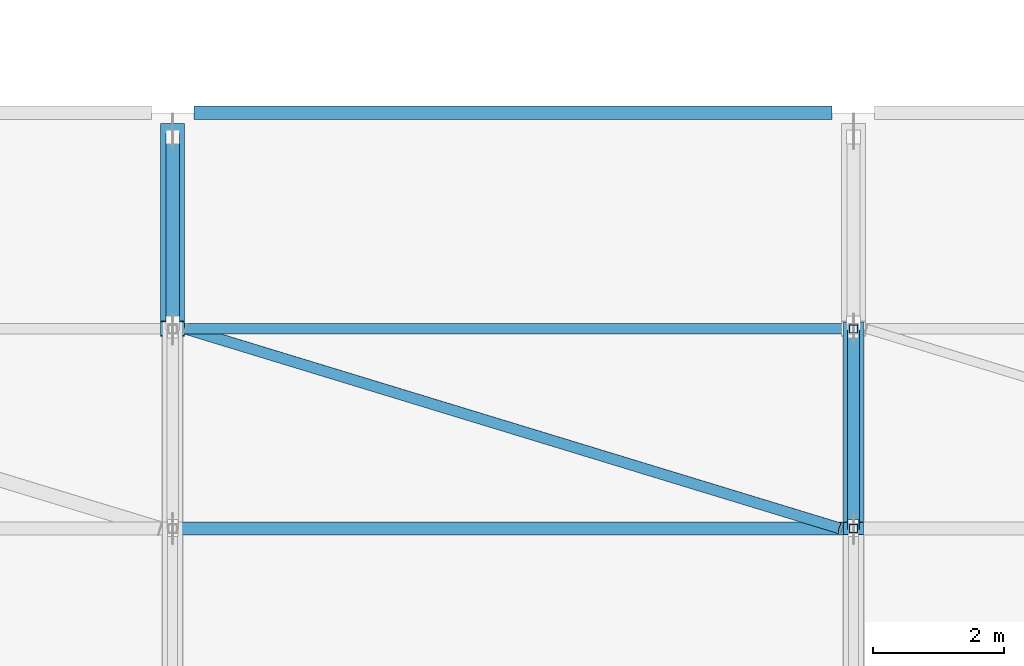
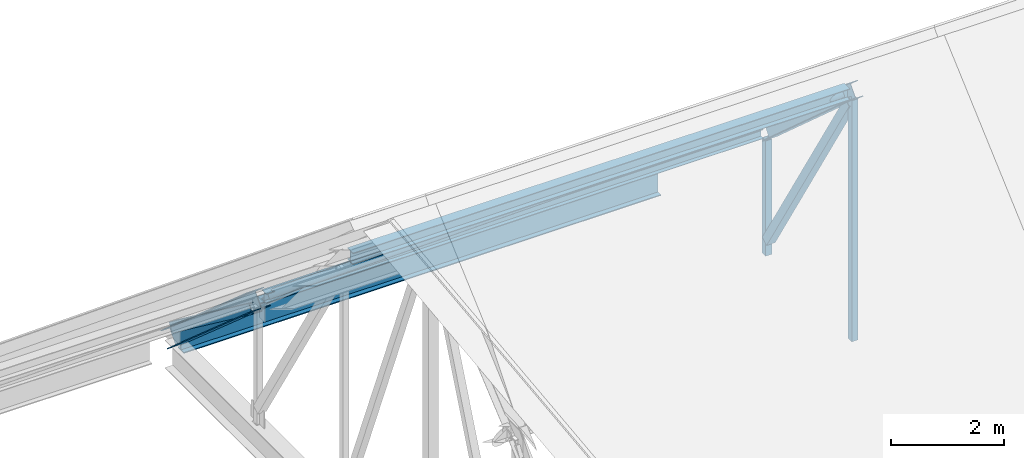
# One storey, part 29 of 86: 7 members, 3 beams.
"""IFC4 building model written with IfcOpenShell, lengths in metres."""

from ifc_helpers import new_model, si_unit, derived_unit, direction, frame, origin, origin_2d, place, context, subcontext, project, spatial, hollow_rectangle, hollow_circle, i_section, extrude, material, material_profile, profile_set, type_object, element, save


model = new_model("IFC4")

# Units and contexts
model_context = context("Model", 3, precision=1e-05, world=origin(), true_north=direction((0.0, 1.0)))
body_context = subcontext(model_context, "Body", "Model", "MODEL_VIEW")
ifc_project = project(units=[si_unit("LENGTHUNIT", "METRE"), si_unit("AREAUNIT", "SQUARE_METRE"), si_unit("VOLUMEUNIT", "CUBIC_METRE"), si_unit("PLANEANGLEUNIT", "RADIAN"), si_unit("MASSUNIT", "GRAM", prefix="KILO"), derived_unit("THERMALTRANSMITTANCEUNIT", [(si_unit("POWERUNIT", "WATT"), 1), (si_unit("LENGTHUNIT", "METRE"), -2), (si_unit("THERMODYNAMICTEMPERATUREUNIT", "KELVIN"), -1)])], contexts=[model_context])

# Site, building, storey
site_placement = place(None, origin())
site = spatial("IfcSite", under=ifc_project, at=site_placement, CompositionType="ELEMENT")
building_placement = place(site_placement, origin())
building = spatial("IfcBuilding", under=site, at=building_placement, Name="Braskholm Square Health Centre", CompositionType="ELEMENT")
storey_placement = place(building_placement, frame((0.0, 0.0, 13.5)))
storey = spatial("IfcBuildingStorey", under=building, at=storey_placement, Name="L04", CompositionType="ELEMENT", Elevation=13.5)

# Member
ifc_material_1 = material(Name="Steel ASTM A500 Grade C", Category="steel")
ifc_material_profile_1 = material_profile(ifc_material_1, hollow_circle(Radius=0.084228515625, WallThickness=0.00732421875, at=origin_2d()), Name="HSS6.625X0.312")
ifc_profile_set_1 = profile_set([ifc_material_profile_1], Name="Steel ASTM A500 Grade C")
member_type_1 = type_object("IfcMemberType", Name="RoofPlanBraceCHS168", PredefinedType="BRACE", material=ifc_profile_set_1)
member_1_placement = place(storey_placement, frame((99.800048828125, 103.699951171875, 2.402099609375), z_axis=(0.925704815743, -0.282344488845, 0.251698596995), x_axis=(0.291736758099, 0.956498648182, 0.0)))
element("IfcMember", 1, at=member_1_placement, inside=storey, type_object=member_type_1, Name="ROOF TRUSS slope brace North Bay 6", PredefinedType="BRACE", context=body_context, shape_type="SweptSolid", body=[
    extrude(hollow_circle(Radius=0.084228515625, WallThickness=0.00732421875, at=origin_2d()), origin(), (0.0, 0.0, 1.0), 10.802490234375),
])

# Beams
ifc_material_2 = material(Name="Steel ASTM A992 Grade 50", Category="steel")
ifc_material_profile_2 = material_profile(ifc_material_2, i_section(OverallWidth=0.201904296875, OverallDepth=0.2470703125, WebThickness=0.00732421875, FlangeThickness=0.010986328125, at=origin_2d()), Name="W10X33")
ifc_profile_set_2 = profile_set([ifc_material_profile_2], Name="Steel ASTM A992 Grade 50")
beam_type_1 = type_object("IfcBeamType", Name="RoofPurlinJoistW10X33", PredefinedType="JOIST", material=ifc_profile_set_2)
beam_1_placement = place(storey_placement, frame((99.719970703125, 100.64990234375, 5.12109375), z_axis=(1.0, 0.0, 0.0), x_axis=(0.0, 1.0, 0.0)))
element("IfcBeam", 2, at=beam_1_placement, inside=storey, type_object=beam_type_1, Name="ROOF TRUSS purlin joist 029", PredefinedType="JOIST", context=body_context, shape_type="SweptSolid", body=[
    extrude(i_section(OverallWidth=0.201904296875, OverallDepth=0.2470703125, WebThickness=0.00732421875, FlangeThickness=0.010986328125, at=origin_2d()), origin(), (0.0, 0.0, 1.0), 10.159912109375),
])
ifc_material_profile_3 = material_profile(ifc_material_2, i_section(OverallWidth=0.1650390625, OverallDepth=0.200927734375, WebThickness=0.006103515625, FlangeThickness=0.01025390625, at=origin_2d()), Name="W8X24")
ifc_profile_set_3 = profile_set([ifc_material_profile_3], Name="Steel ASTM A992 Grade 50")
beam_type_2 = type_object("IfcBeamType", Name="RoofPurlinJoistW8X24", PredefinedType="JOIST", material=ifc_profile_set_3)
beam_2_placement = place(storey_placement, frame((99.719970703125, 103.699951171875, 2.402099609375), z_axis=(1.0, 0.0, 0.0), x_axis=(0.0, 1.0, 0.0)))
element("IfcBeam", 3, at=beam_2_placement, inside=storey, type_object=beam_type_2, Name="ROOF TRUSS purlin joist 030", PredefinedType="JOIST", context=body_context, shape_type="SweptSolid", body=[
    extrude(i_section(OverallWidth=0.1650390625, OverallDepth=0.200927734375, WebThickness=0.006103515625, FlangeThickness=0.01025390625, at=origin_2d()), origin(), (0.0, 0.0, 1.0), 10.159912109375),
])
ifc_material_profile_4 = material_profile(ifc_material_2, i_section(OverallWidth=0.2119140625, OverallDepth=0.5439453125, WebThickness=0.01318359375, FlangeThickness=0.021240234375, at=origin_2d()), Name="W21X83")
ifc_profile_set_4 = profile_set([ifc_material_profile_4], Name="Steel ASTM A992 Grade 50")
beam_type_3 = type_object("IfcBeamType", Name="SteelGirderEaveW21X83", PredefinedType="BEAM", material=ifc_profile_set_4)
beam_3_placement = place(storey_placement, frame((99.925048828125, 107.0, -0.572021484375), z_axis=(1.0, 0.0, 0.0), x_axis=(0.0, 1.0, 0.0)))
element("IfcBeam", 4, at=beam_3_placement, inside=storey, type_object=beam_type_3, Name="Beam 13-14/R L04", PredefinedType="BEAM", context=body_context, shape_type="SweptSolid", body=[
    extrude(i_section(OverallWidth=0.2119140625, OverallDepth=0.5439453125, WebThickness=0.01318359375, FlangeThickness=0.021240234375, at=origin_2d()), origin(), (0.0, 0.0, 1.0), 9.75),
])

# Members
ifc_material_profile_5 = material_profile(ifc_material_2, i_section(OverallWidth=0.304931640625, OverallDepth=0.306884765625, WebThickness=0.010009765625, FlangeThickness=0.015380859375, at=origin_2d()), Name="W12X65")
ifc_profile_set_5 = profile_set([ifc_material_profile_5], Name="Steel ASTM A992 Grade 50")
member_type_2 = type_object("IfcMemberType", Name="TrussHipChordW12X65", PredefinedType="CHORD", material=ifc_profile_set_5)
member_2_placement = place(storey_placement, frame((110.0, 100.64990234375, 5.101318359375), z_axis=(0.0, 0.746426169494, -0.665468236278), x_axis=(-1.0, 0.0, 0.0)))
element("IfcMember", 5, at=member_2_placement, inside=storey, type_object=member_type_2, Name="ROOF TRUSS top chord TR-07-5", PredefinedType="CHORD", context=body_context, shape_type="SweptSolid", body=[
    extrude(i_section(OverallWidth=0.304931640625, OverallDepth=0.306884765625, WebThickness=0.010009765625, FlangeThickness=0.015380859375, at=origin_2d()), origin(), (0.0, 0.0, 1.0), 4.086181640625),
])
ifc_material_profile_6 = material_profile(ifc_material_1, hollow_rectangle(XDim=0.177734375, YDim=0.177734375, WallThickness=0.0087890625, at=origin_2d()), Name="HSS7X7X3/8")
ifc_profile_set_6 = profile_set([ifc_material_profile_6], Name="Steel ASTM A500 Grade C")
member_type_3 = type_object("IfcMemberType", Name="TrussInnerDiagHSS7X7", PredefinedType="BRACE", material=ifc_profile_set_6)
member_3_placement = place(storey_placement, frame((110.0, 103.636962890625, 0.06201171875), z_axis=(0.0, -0.522065213128, 0.852905571117), x_axis=(1.0, 0.0, 0.0)))
element("IfcMember", 6, at=member_3_placement, inside=storey, type_object=member_type_3, Name="ROOF TRUSS diagonal web TR-07-D5", PredefinedType="BRACE", context=body_context, shape_type="SweptSolid", body=[
    extrude(hollow_rectangle(XDim=0.177734375, YDim=0.177734375, WallThickness=0.0087890625, at=origin_2d()), origin(), (0.0, 0.0, 1.0), 5.60107421875),
])
ifc_material_profile_7 = material_profile(ifc_material_1, hollow_rectangle(XDim=0.203125, YDim=0.203125, WallThickness=0.01171875, at=origin_2d()), Name="HSS8X8X1/2")
ifc_profile_set_7 = profile_set([ifc_material_profile_7], Name="Steel ASTM A500 Grade C")
member_type_4 = type_object("IfcMemberType", Name="TrussOuterDiagHSS8X8X12", PredefinedType="BRACE", material=ifc_profile_set_7)
member_4_placement = place(storey_placement, frame((99.60009765625, 106.6240234375, 0.031982421875), z_axis=(0.0, -0.800430964811, 0.599424949908), x_axis=(1.0, 0.0, 0.0)))
element("IfcMember", 7, at=member_4_placement, inside=storey, type_object=member_type_4, Name="ROOF TRUSS diagonal web TR-06-D6", PredefinedType="BRACE", context=body_context, shape_type="SweptSolid", body=[
    extrude(hollow_rectangle(XDim=0.203125, YDim=0.203125, WallThickness=0.01171875, at=origin_2d()), origin(), (0.0, 0.0, 1.0), 3.533203125),
])
ifc_material_profile_8 = material_profile(ifc_material_2, i_section(OverallWidth=0.368896484375, OverallDepth=0.35595703125, WebThickness=0.01123046875, FlangeThickness=0.01806640625, at=origin_2d()), Name="W14X90")
ifc_profile_set_8 = profile_set([ifc_material_profile_8], Name="Steel ASTM A992 Grade 50")
member_type_5 = type_object("IfcMemberType", Name="TrussTopChordW14X90", PredefinedType="CHORD", material=ifc_profile_set_8)
member_5_placement = place(storey_placement, frame((99.60009765625, 103.699951171875, 2.382080078125), z_axis=(0.0, 0.752629458895, -0.658444301064), x_axis=(-1.0, 0.0, 0.0)))
element("IfcMember", 8, at=member_5_placement, inside=storey, type_object=member_type_5, Name="ROOF TRUSS top chord TR-06-6", PredefinedType="CHORD", context=body_context, shape_type="SweptSolid", body=[
    extrude(i_section(OverallWidth=0.368896484375, OverallDepth=0.35595703125, WebThickness=0.01123046875, FlangeThickness=0.01806640625, at=origin_2d()), origin(), (0.0, 0.0, 1.0), 4.0126953125),
])
ifc_material_profile_9 = material_profile(ifc_material_1, hollow_rectangle(XDim=0.126953125, YDim=0.126953125, WallThickness=0.00732421875, at=origin_2d()), Name="HSS5X5X5/16")
ifc_profile_set_9 = profile_set([ifc_material_profile_9], Name="Steel ASTM A500 Grade C")
member_type_6 = type_object("IfcMemberType", Name="TrussVerticalStrutHSS5X5", PredefinedType="STRUT", material=ifc_profile_set_9)
member_6_placement = place(storey_placement, frame((110.0, 100.64990234375, -0.27001953125), z_axis=(0.0, 0.0, 1.0), x_axis=(1.0, 0.0, 0.0)))
element("IfcMember", 9, at=member_6_placement, inside=storey, type_object=member_type_6, Name="ROOF TRUSS vertical strut TR-07-V4", PredefinedType="STRUT", context=body_context, shape_type="SweptSolid", body=[
    extrude(hollow_rectangle(XDim=0.126953125, YDim=0.126953125, WallThickness=0.00732421875, at=origin_2d()), origin(), (0.0, 0.0, 1.0), 5.21142578125),
])
member_7_placement = place(storey_placement, frame((110.0, 103.699951171875, -0.27001953125), z_axis=(0.0, 0.0, 1.0), x_axis=(1.0, 0.0, 0.0)))
element("IfcMember", 10, at=member_7_placement, inside=storey, type_object=member_type_6, Name="ROOF TRUSS vertical strut TR-07-V5", PredefinedType="STRUT", context=body_context, shape_type="SweptSolid", body=[
    extrude(hollow_rectangle(XDim=0.126953125, YDim=0.126953125, WallThickness=0.00732421875, at=origin_2d()), origin(), (0.0, 0.0, 1.0), 2.4921875),
])

save(model, "model.ifc")
